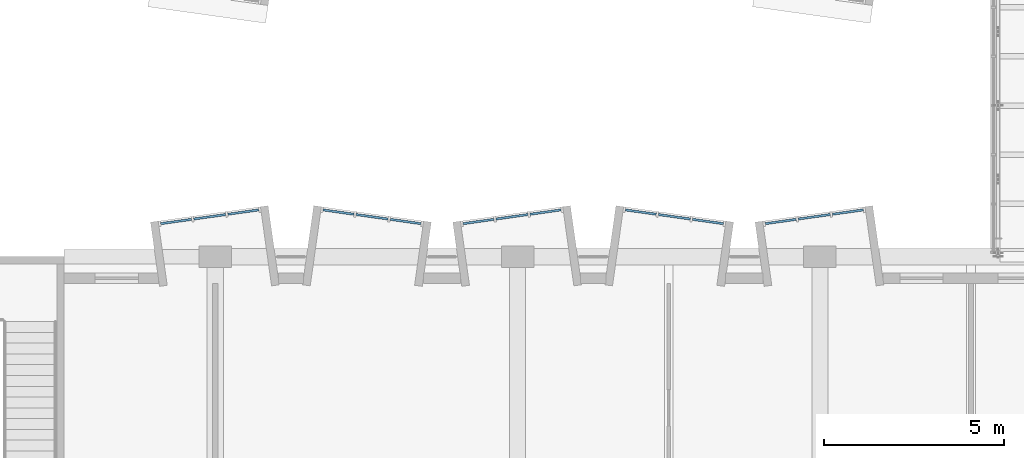
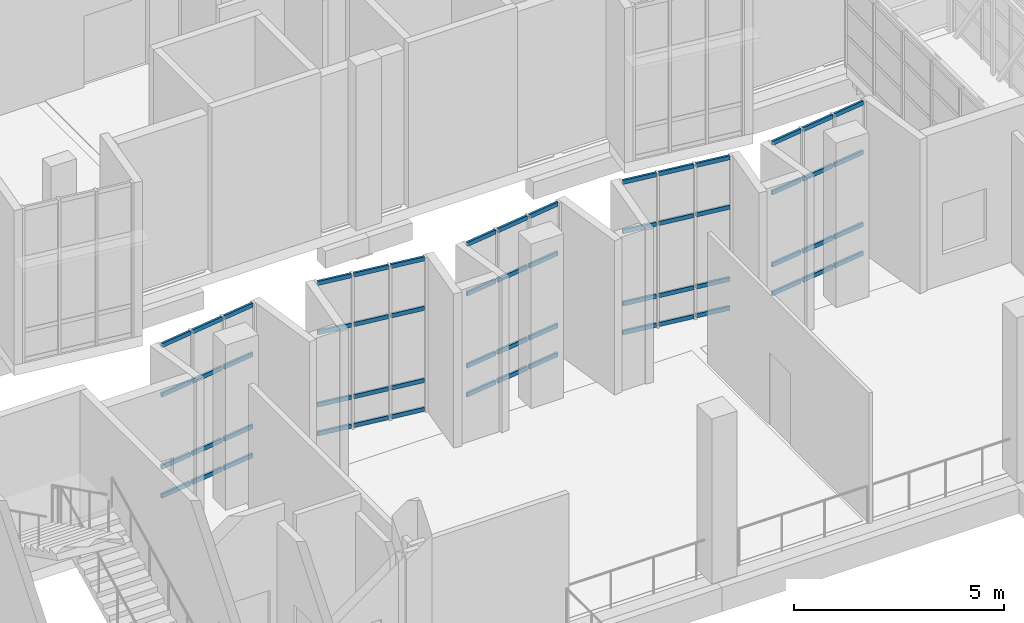
# One storey, part 28 of 67: 60 members, 5 elements without a shape of their own.
"""IFC4 building model written with IfcOpenShell, lengths in metres."""

from ifc_helpers import new_model, si_unit, direction, frame, origin, origin_2d, place, context, subcontext, project, spatial, rectangle, extrude, material, layer, layer_set, material_profile, profile_set, type_object, element, aggregate, save


model = new_model("IFC4")

# Units and contexts
model_context = context("Model", 3, precision=1e-05, world=origin(), true_north=direction((0.0, 1.0)))
body_context = subcontext(model_context, "Body", "Model", "MODEL_VIEW")
ifc_project = project(units=[si_unit("LENGTHUNIT", "METRE"), si_unit("AREAUNIT", "SQUARE_METRE"), si_unit("VOLUMEUNIT", "CUBIC_METRE"), si_unit("PLANEANGLEUNIT", "RADIAN"), si_unit("MASSUNIT", "GRAM", prefix="KILO")], contexts=[model_context])

# Site, building, storey
site_placement = place(None, origin())
site = spatial("IfcSite", under=ifc_project, at=site_placement, CompositionType="ELEMENT")
building_placement = place(site_placement, origin())
building = spatial("IfcBuilding", under=site, at=building_placement, Name="Kiln Court Media Centre", CompositionType="ELEMENT")
storey_placement = place(building_placement, frame((0.0, 0.0, 19.800048828125)))
storey = spatial("IfcBuildingStorey", under=building, at=storey_placement, Name="L04", CompositionType="ELEMENT", Elevation=19.800048828125)

# Curtain wall, members
ifc_material_1 = material(Name="Aluminium 6063-T6", Category="aluminium")
ifc_layer = layer(ifc_material_1, 0.1201171875)
ifc_layer_set = layer_set([ifc_layer], Name="Aluminium unitised bay curtain wall")
curtain_wall_type = type_object("IfcCurtainWallType", Name="Aluminium unitised bay curtain wall", PredefinedType="USERDEFINED", material=ifc_layer_set)
curtain_wall_1_placement = place(storey_placement, origin())
curtain_wall_1 = element("IfcCurtainWall", 1, at=curtain_wall_1_placement, inside=storey, type_object=curtain_wall_type, Name="BAY V6A-N-L04-24 front", ObjectType="UNITISED CURTAIN WALL", PredefinedType="USERDEFINED")
ifc_material_2 = material(Name="Aluminium 6063-T6", Category="aluminium")
ifc_material_profile = material_profile(ifc_material_2, rectangle(XDim=0.06005859375, YDim=0.1201171875, at=origin_2d()), Name="Aluminium transom 60x120")
ifc_profile_set = profile_set([ifc_material_profile], Name="Aluminium 6063-T6")
member_type = type_object("IfcMemberType", Name="Aluminium transom 60x120", PredefinedType="USERDEFINED", material=ifc_profile_set)
member_1_placement = place(storey_placement, frame((6.882568359375, 26.11767578125, 0.06005859375), z_axis=(0.990268108888, 0.139172815303, 0.0), x_axis=(-0.139172815303, 0.990268108888, 0.0)))
member_1 = element("IfcMember", 2, at=member_1_placement, type_object=member_type, Name="CW4-03 transom 1.1", ObjectType="TRANSOM", PredefinedType="USERDEFINED", context=body_context, shape_type="SweptSolid", body=[
    extrude(rectangle(XDim=0.06005859375, YDim=0.1201171875, at=origin_2d()), origin(), (0.0, 0.0, 1.0), 0.86669921875),
])
member_2_placement = place(storey_placement, frame((6.882568359375, 26.11767578125, 0.89990234375), z_axis=(0.990268108888, 0.139172815303, 0.0), x_axis=(-0.139172815303, 0.990268108888, 0.0)))
member_2 = element("IfcMember", 3, at=member_2_placement, type_object=member_type, Name="CW4-03 transom 1.2", ObjectType="TRANSOM", PredefinedType="USERDEFINED", context=body_context, shape_type="SweptSolid", body=[
    extrude(rectangle(XDim=0.06005859375, YDim=0.1201171875, at=origin_2d()), origin(), (0.0, 0.0, 1.0), 0.86669921875),
])
member_3_placement = place(storey_placement, frame((6.882568359375, 26.11767578125, 3.0), z_axis=(0.990268108888, 0.139172815303, 0.0), x_axis=(-0.139172815303, 0.990268108888, 0.0)))
member_3 = element("IfcMember", 4, at=member_3_placement, type_object=member_type, Name="CW4-03 transom 1.3", ObjectType="TRANSOM", PredefinedType="USERDEFINED", context=body_context, shape_type="SweptSolid", body=[
    extrude(rectangle(XDim=0.06005859375, YDim=0.1201171875, at=origin_2d()), origin(), (0.0, 0.0, 1.0), 0.86669921875),
])
member_4_placement = place(storey_placement, frame((6.882568359375, 26.11767578125, 4.43994140625), z_axis=(0.990268108888, 0.139172815303, 0.0), x_axis=(-0.139172815303, 0.990268108888, 0.0)))
member_4 = element("IfcMember", 5, at=member_4_placement, type_object=member_type, Name="CW4-03 transom 1.4", ObjectType="TRANSOM", PredefinedType="USERDEFINED", context=body_context, shape_type="SweptSolid", body=[
    extrude(rectangle(XDim=0.06005859375, YDim=0.1201171875, at=origin_2d()), origin(), (0.0, 0.0, 1.0), 0.86669921875),
])
member_5_placement = place(storey_placement, frame((7.80029296875, 26.246826171875, 0.06005859375), z_axis=(0.990273584723, 0.13913384707, 0.0), x_axis=(-0.13913384707, 0.990273584723, 0.0)))
member_5 = element("IfcMember", 6, at=member_5_placement, type_object=member_type, Name="CW4-03 transom 2.1", ObjectType="TRANSOM", PredefinedType="USERDEFINED", context=body_context, shape_type="SweptSolid", body=[
    extrude(rectangle(XDim=0.06005859375, YDim=0.1201171875, at=origin_2d()), origin(), (0.0, 0.0, 1.0), 0.896728515625),
])
member_6_placement = place(storey_placement, frame((7.80029296875, 26.246826171875, 0.89990234375), z_axis=(0.990273584723, 0.13913384707, 0.0), x_axis=(-0.13913384707, 0.990273584723, 0.0)))
member_6 = element("IfcMember", 7, at=member_6_placement, type_object=member_type, Name="CW4-03 transom 2.2", ObjectType="TRANSOM", PredefinedType="USERDEFINED", context=body_context, shape_type="SweptSolid", body=[
    extrude(rectangle(XDim=0.06005859375, YDim=0.1201171875, at=origin_2d()), origin(), (0.0, 0.0, 1.0), 0.896728515625),
])
member_7_placement = place(storey_placement, frame((7.80029296875, 26.246826171875, 3.0), z_axis=(0.990273584723, 0.13913384707, 0.0), x_axis=(-0.13913384707, 0.990273584723, 0.0)))
member_7 = element("IfcMember", 8, at=member_7_placement, type_object=member_type, Name="CW4-03 transom 2.3", ObjectType="TRANSOM", PredefinedType="USERDEFINED", context=body_context, shape_type="SweptSolid", body=[
    extrude(rectangle(XDim=0.06005859375, YDim=0.1201171875, at=origin_2d()), origin(), (0.0, 0.0, 1.0), 0.896728515625),
])
member_8_placement = place(storey_placement, frame((7.80029296875, 26.246826171875, 4.43994140625), z_axis=(0.990273584723, 0.13913384707, 0.0), x_axis=(-0.13913384707, 0.990273584723, 0.0)))
member_8 = element("IfcMember", 9, at=member_8_placement, type_object=member_type, Name="CW4-03 transom 2.4", ObjectType="TRANSOM", PredefinedType="USERDEFINED", context=body_context, shape_type="SweptSolid", body=[
    extrude(rectangle(XDim=0.06005859375, YDim=0.1201171875, at=origin_2d()), origin(), (0.0, 0.0, 1.0), 0.896728515625),
])
member_9_placement = place(storey_placement, frame((8.74755859375, 26.3798828125, 0.06005859375), z_axis=(0.990268108888, 0.139172815303, 0.0), x_axis=(-0.139172815303, 0.990268108888, 0.0)))
member_9 = element("IfcMember", 10, at=member_9_placement, type_object=member_type, Name="CW4-03 transom 3.1", ObjectType="TRANSOM", PredefinedType="USERDEFINED", context=body_context, shape_type="SweptSolid", body=[
    extrude(rectangle(XDim=0.06005859375, YDim=0.1201171875, at=origin_2d()), origin(), (0.0, 0.0, 1.0), 0.86669921875),
])
member_10_placement = place(storey_placement, frame((8.74755859375, 26.3798828125, 0.89990234375), z_axis=(0.990268108888, 0.139172815303, 0.0), x_axis=(-0.139172815303, 0.990268108888, 0.0)))
member_10 = element("IfcMember", 11, at=member_10_placement, type_object=member_type, Name="CW4-03 transom 3.2", ObjectType="TRANSOM", PredefinedType="USERDEFINED", context=body_context, shape_type="SweptSolid", body=[
    extrude(rectangle(XDim=0.06005859375, YDim=0.1201171875, at=origin_2d()), origin(), (0.0, 0.0, 1.0), 0.86669921875),
])
member_11_placement = place(storey_placement, frame((8.74755859375, 26.3798828125, 3.0), z_axis=(0.990268108888, 0.139172815303, 0.0), x_axis=(-0.139172815303, 0.990268108888, 0.0)))
member_11 = element("IfcMember", 12, at=member_11_placement, type_object=member_type, Name="CW4-03 transom 3.3", ObjectType="TRANSOM", PredefinedType="USERDEFINED", context=body_context, shape_type="SweptSolid", body=[
    extrude(rectangle(XDim=0.06005859375, YDim=0.1201171875, at=origin_2d()), origin(), (0.0, 0.0, 1.0), 0.86669921875),
])
member_12_placement = place(storey_placement, frame((8.74755859375, 26.3798828125, 4.43994140625), z_axis=(0.990268108888, 0.139172815303, 0.0), x_axis=(-0.139172815303, 0.990268108888, 0.0)))
member_12 = element("IfcMember", 13, at=member_12_placement, type_object=member_type, Name="CW4-03 transom 3.4", ObjectType="TRANSOM", PredefinedType="USERDEFINED", context=body_context, shape_type="SweptSolid", body=[
    extrude(rectangle(XDim=0.06005859375, YDim=0.1201171875, at=origin_2d()), origin(), (0.0, 0.0, 1.0), 0.86669921875),
])
aggregate(curtain_wall_1, [member_1, member_2, member_3, member_4, member_5, member_6, member_7, member_8, member_9, member_10, member_11, member_12])

curtain_wall_2_placement = place(storey_placement, origin())
curtain_wall_2 = element("IfcCurtainWall", 14, at=curtain_wall_2_placement, inside=storey, type_object=curtain_wall_type, Name="BAY V6A-N-L04-25 front", ObjectType="UNITISED CURTAIN WALL", PredefinedType="USERDEFINED")
member_13_placement = place(storey_placement, frame((11.394287109375, 26.50048828125, 0.06005859375), z_axis=(0.990268108888, -0.139172815303, 0.0), x_axis=(0.139172815303, 0.990268108888, 0.0)))
member_13 = element("IfcMember", 15, at=member_13_placement, type_object=member_type, Name="CW4-04 transom 1.1", ObjectType="TRANSOM", PredefinedType="USERDEFINED", context=body_context, shape_type="SweptSolid", body=[
    extrude(rectangle(XDim=0.06005859375, YDim=0.1201171875, at=origin_2d()), origin(), (0.0, 0.0, 1.0), 0.86669921875),
])
member_14_placement = place(storey_placement, frame((11.394287109375, 26.50048828125, 0.89990234375), z_axis=(0.990268108888, -0.139172815303, 0.0), x_axis=(0.139172815303, 0.990268108888, 0.0)))
member_14 = element("IfcMember", 16, at=member_14_placement, type_object=member_type, Name="CW4-04 transom 1.2", ObjectType="TRANSOM", PredefinedType="USERDEFINED", context=body_context, shape_type="SweptSolid", body=[
    extrude(rectangle(XDim=0.06005859375, YDim=0.1201171875, at=origin_2d()), origin(), (0.0, 0.0, 1.0), 0.86669921875),
])
member_15_placement = place(storey_placement, frame((11.394287109375, 26.50048828125, 3.0), z_axis=(0.990268108888, -0.139172815303, 0.0), x_axis=(0.139172815303, 0.990268108888, 0.0)))
member_15 = element("IfcMember", 17, at=member_15_placement, type_object=member_type, Name="CW4-04 transom 1.3", ObjectType="TRANSOM", PredefinedType="USERDEFINED", context=body_context, shape_type="SweptSolid", body=[
    extrude(rectangle(XDim=0.06005859375, YDim=0.1201171875, at=origin_2d()), origin(), (0.0, 0.0, 1.0), 0.86669921875),
])
member_16_placement = place(storey_placement, frame((11.394287109375, 26.50048828125, 4.43994140625), z_axis=(0.990268108888, -0.139172815303, 0.0), x_axis=(0.139172815303, 0.990268108888, 0.0)))
member_16 = element("IfcMember", 18, at=member_16_placement, type_object=member_type, Name="CW4-04 transom 1.4", ObjectType="TRANSOM", PredefinedType="USERDEFINED", context=body_context, shape_type="SweptSolid", body=[
    extrude(rectangle(XDim=0.06005859375, YDim=0.1201171875, at=origin_2d()), origin(), (0.0, 0.0, 1.0), 0.86669921875),
])
member_17_placement = place(storey_placement, frame((12.311767578125, 26.37158203125, 0.06005859375), z_axis=(0.990273584723, -0.13913384707, 0.0), x_axis=(0.13913384707, 0.990273584723, 0.0)))
member_17 = element("IfcMember", 19, at=member_17_placement, type_object=member_type, Name="CW4-04 transom 2.1", ObjectType="TRANSOM", PredefinedType="USERDEFINED", context=body_context, shape_type="SweptSolid", body=[
    extrude(rectangle(XDim=0.06005859375, YDim=0.1201171875, at=origin_2d()), origin(), (0.0, 0.0, 1.0), 0.896728515625),
])
member_18_placement = place(storey_placement, frame((12.311767578125, 26.37158203125, 0.89990234375), z_axis=(0.990273584723, -0.13913384707, 0.0), x_axis=(0.13913384707, 0.990273584723, 0.0)))
member_18 = element("IfcMember", 20, at=member_18_placement, type_object=member_type, Name="CW4-04 transom 2.2", ObjectType="TRANSOM", PredefinedType="USERDEFINED", context=body_context, shape_type="SweptSolid", body=[
    extrude(rectangle(XDim=0.06005859375, YDim=0.1201171875, at=origin_2d()), origin(), (0.0, 0.0, 1.0), 0.896728515625),
])
member_19_placement = place(storey_placement, frame((12.311767578125, 26.37158203125, 3.0), z_axis=(0.990273584723, -0.13913384707, 0.0), x_axis=(0.13913384707, 0.990273584723, 0.0)))
member_19 = element("IfcMember", 21, at=member_19_placement, type_object=member_type, Name="CW4-04 transom 2.3", ObjectType="TRANSOM", PredefinedType="USERDEFINED", context=body_context, shape_type="SweptSolid", body=[
    extrude(rectangle(XDim=0.06005859375, YDim=0.1201171875, at=origin_2d()), origin(), (0.0, 0.0, 1.0), 0.896728515625),
])
member_20_placement = place(storey_placement, frame((12.311767578125, 26.37158203125, 4.43994140625), z_axis=(0.990273584723, -0.13913384707, 0.0), x_axis=(0.13913384707, 0.990273584723, 0.0)))
member_20 = element("IfcMember", 22, at=member_20_placement, type_object=member_type, Name="CW4-04 transom 2.4", ObjectType="TRANSOM", PredefinedType="USERDEFINED", context=body_context, shape_type="SweptSolid", body=[
    extrude(rectangle(XDim=0.06005859375, YDim=0.1201171875, at=origin_2d()), origin(), (0.0, 0.0, 1.0), 0.896728515625),
])
member_21_placement = place(storey_placement, frame((13.25927734375, 26.23828125, 0.06005859375), z_axis=(0.990268108888, -0.139172815303, 0.0), x_axis=(0.139172815303, 0.990268108888, 0.0)))
member_21 = element("IfcMember", 23, at=member_21_placement, type_object=member_type, Name="CW4-04 transom 3.1", ObjectType="TRANSOM", PredefinedType="USERDEFINED", context=body_context, shape_type="SweptSolid", body=[
    extrude(rectangle(XDim=0.06005859375, YDim=0.1201171875, at=origin_2d()), origin(), (0.0, 0.0, 1.0), 0.86669921875),
])
member_22_placement = place(storey_placement, frame((13.25927734375, 26.23828125, 0.89990234375), z_axis=(0.990268108888, -0.139172815303, 0.0), x_axis=(0.139172815303, 0.990268108888, 0.0)))
member_22 = element("IfcMember", 24, at=member_22_placement, type_object=member_type, Name="CW4-04 transom 3.2", ObjectType="TRANSOM", PredefinedType="USERDEFINED", context=body_context, shape_type="SweptSolid", body=[
    extrude(rectangle(XDim=0.06005859375, YDim=0.1201171875, at=origin_2d()), origin(), (0.0, 0.0, 1.0), 0.86669921875),
])
member_23_placement = place(storey_placement, frame((13.25927734375, 26.23828125, 3.0), z_axis=(0.990268108888, -0.139172815303, 0.0), x_axis=(0.139172815303, 0.990268108888, 0.0)))
member_23 = element("IfcMember", 25, at=member_23_placement, type_object=member_type, Name="CW4-04 transom 3.3", ObjectType="TRANSOM", PredefinedType="USERDEFINED", context=body_context, shape_type="SweptSolid", body=[
    extrude(rectangle(XDim=0.06005859375, YDim=0.1201171875, at=origin_2d()), origin(), (0.0, 0.0, 1.0), 0.86669921875),
])
member_24_placement = place(storey_placement, frame((13.25927734375, 26.23828125, 4.43994140625), z_axis=(0.990268108888, -0.139172815303, 0.0), x_axis=(0.139172815303, 0.990268108888, 0.0)))
member_24 = element("IfcMember", 26, at=member_24_placement, type_object=member_type, Name="CW4-04 transom 3.4", ObjectType="TRANSOM", PredefinedType="USERDEFINED", context=body_context, shape_type="SweptSolid", body=[
    extrude(rectangle(XDim=0.06005859375, YDim=0.1201171875, at=origin_2d()), origin(), (0.0, 0.0, 1.0), 0.86669921875),
])
aggregate(curtain_wall_2, [member_13, member_14, member_15, member_16, member_17, member_18, member_19, member_20, member_21, member_22, member_23, member_24])

curtain_wall_3_placement = place(storey_placement, origin())
curtain_wall_3 = element("IfcCurtainWall", 27, at=curtain_wall_3_placement, inside=storey, type_object=curtain_wall_type, Name="BAY V6A-N-L04-26 front", ObjectType="UNITISED CURTAIN WALL", PredefinedType="USERDEFINED")
member_25_placement = place(storey_placement, frame((15.282470703125, 26.11767578125, 0.06005859375), z_axis=(0.990273563383, 0.139133998951, 0.0), x_axis=(-0.139133998951, 0.990273563383, 0.0)))
member_25 = element("IfcMember", 28, at=member_25_placement, type_object=member_type, Name="CW4-05 transom 1.1", ObjectType="TRANSOM", PredefinedType="USERDEFINED", context=body_context, shape_type="SweptSolid", body=[
    extrude(rectangle(XDim=0.06005859375, YDim=0.1201171875, at=origin_2d()), origin(), (0.0, 0.0, 1.0), 0.866943359375),
])
member_26_placement = place(storey_placement, frame((15.282470703125, 26.11767578125, 0.89990234375), z_axis=(0.990273563383, 0.139133998951, 0.0), x_axis=(-0.139133998951, 0.990273563383, 0.0)))
member_26 = element("IfcMember", 29, at=member_26_placement, type_object=member_type, Name="CW4-05 transom 1.2", ObjectType="TRANSOM", PredefinedType="USERDEFINED", context=body_context, shape_type="SweptSolid", body=[
    extrude(rectangle(XDim=0.06005859375, YDim=0.1201171875, at=origin_2d()), origin(), (0.0, 0.0, 1.0), 0.866943359375),
])
member_27_placement = place(storey_placement, frame((15.282470703125, 26.11767578125, 3.0), z_axis=(0.990273563383, 0.139133998951, 0.0), x_axis=(-0.139133998951, 0.990273563383, 0.0)))
member_27 = element("IfcMember", 30, at=member_27_placement, type_object=member_type, Name="CW4-05 transom 1.3", ObjectType="TRANSOM", PredefinedType="USERDEFINED", context=body_context, shape_type="SweptSolid", body=[
    extrude(rectangle(XDim=0.06005859375, YDim=0.1201171875, at=origin_2d()), origin(), (0.0, 0.0, 1.0), 0.866943359375),
])
member_28_placement = place(storey_placement, frame((15.282470703125, 26.11767578125, 4.43994140625), z_axis=(0.990273563383, 0.139133998951, 0.0), x_axis=(-0.139133998951, 0.990273563383, 0.0)))
member_28 = element("IfcMember", 31, at=member_28_placement, type_object=member_type, Name="CW4-05 transom 1.4", ObjectType="TRANSOM", PredefinedType="USERDEFINED", context=body_context, shape_type="SweptSolid", body=[
    extrude(rectangle(XDim=0.06005859375, YDim=0.1201171875, at=origin_2d()), origin(), (0.0, 0.0, 1.0), 0.866943359375),
])
member_29_placement = place(storey_placement, frame((16.2001953125, 26.246826171875, 0.06005859375), z_axis=(0.990273584723, 0.13913384707, 0.0), x_axis=(-0.13913384707, 0.990273584723, 0.0)))
member_29 = element("IfcMember", 32, at=member_29_placement, type_object=member_type, Name="CW4-05 transom 2.1", ObjectType="TRANSOM", PredefinedType="USERDEFINED", context=body_context, shape_type="SweptSolid", body=[
    extrude(rectangle(XDim=0.06005859375, YDim=0.1201171875, at=origin_2d()), origin(), (0.0, 0.0, 1.0), 0.896728515625),
])
member_30_placement = place(storey_placement, frame((16.2001953125, 26.246826171875, 0.89990234375), z_axis=(0.990273584723, 0.13913384707, 0.0), x_axis=(-0.13913384707, 0.990273584723, 0.0)))
member_30 = element("IfcMember", 33, at=member_30_placement, type_object=member_type, Name="CW4-05 transom 2.2", ObjectType="TRANSOM", PredefinedType="USERDEFINED", context=body_context, shape_type="SweptSolid", body=[
    extrude(rectangle(XDim=0.06005859375, YDim=0.1201171875, at=origin_2d()), origin(), (0.0, 0.0, 1.0), 0.896728515625),
])
member_31_placement = place(storey_placement, frame((16.2001953125, 26.246826171875, 3.0), z_axis=(0.990273584723, 0.13913384707, 0.0), x_axis=(-0.13913384707, 0.990273584723, 0.0)))
member_31 = element("IfcMember", 34, at=member_31_placement, type_object=member_type, Name="CW4-05 transom 2.3", ObjectType="TRANSOM", PredefinedType="USERDEFINED", context=body_context, shape_type="SweptSolid", body=[
    extrude(rectangle(XDim=0.06005859375, YDim=0.1201171875, at=origin_2d()), origin(), (0.0, 0.0, 1.0), 0.896728515625),
])
member_32_placement = place(storey_placement, frame((16.2001953125, 26.246826171875, 4.43994140625), z_axis=(0.990273584723, 0.13913384707, 0.0), x_axis=(-0.13913384707, 0.990273584723, 0.0)))
member_32 = element("IfcMember", 35, at=member_32_placement, type_object=member_type, Name="CW4-05 transom 2.4", ObjectType="TRANSOM", PredefinedType="USERDEFINED", context=body_context, shape_type="SweptSolid", body=[
    extrude(rectangle(XDim=0.06005859375, YDim=0.1201171875, at=origin_2d()), origin(), (0.0, 0.0, 1.0), 0.896728515625),
])
member_33_placement = place(storey_placement, frame((17.1474609375, 26.3798828125, 0.06005859375), z_axis=(0.990273563383, 0.139133998951, 0.0), x_axis=(-0.139133998951, 0.990273563383, 0.0)))
member_33 = element("IfcMember", 36, at=member_33_placement, type_object=member_type, Name="CW4-05 transom 3.1", ObjectType="TRANSOM", PredefinedType="USERDEFINED", context=body_context, shape_type="SweptSolid", body=[
    extrude(rectangle(XDim=0.06005859375, YDim=0.1201171875, at=origin_2d()), origin(), (0.0, 0.0, 1.0), 0.866943359375),
])
member_34_placement = place(storey_placement, frame((17.1474609375, 26.3798828125, 0.89990234375), z_axis=(0.990273563383, 0.139133998951, 0.0), x_axis=(-0.139133998951, 0.990273563383, 0.0)))
member_34 = element("IfcMember", 37, at=member_34_placement, type_object=member_type, Name="CW4-05 transom 3.2", ObjectType="TRANSOM", PredefinedType="USERDEFINED", context=body_context, shape_type="SweptSolid", body=[
    extrude(rectangle(XDim=0.06005859375, YDim=0.1201171875, at=origin_2d()), origin(), (0.0, 0.0, 1.0), 0.866943359375),
])
member_35_placement = place(storey_placement, frame((17.1474609375, 26.3798828125, 3.0), z_axis=(0.990273563383, 0.139133998951, 0.0), x_axis=(-0.139133998951, 0.990273563383, 0.0)))
member_35 = element("IfcMember", 38, at=member_35_placement, type_object=member_type, Name="CW4-05 transom 3.3", ObjectType="TRANSOM", PredefinedType="USERDEFINED", context=body_context, shape_type="SweptSolid", body=[
    extrude(rectangle(XDim=0.06005859375, YDim=0.1201171875, at=origin_2d()), origin(), (0.0, 0.0, 1.0), 0.866943359375),
])
member_36_placement = place(storey_placement, frame((17.1474609375, 26.3798828125, 4.43994140625), z_axis=(0.990273563383, 0.139133998951, 0.0), x_axis=(-0.139133998951, 0.990273563383, 0.0)))
member_36 = element("IfcMember", 39, at=member_36_placement, type_object=member_type, Name="CW4-05 transom 3.4", ObjectType="TRANSOM", PredefinedType="USERDEFINED", context=body_context, shape_type="SweptSolid", body=[
    extrude(rectangle(XDim=0.06005859375, YDim=0.1201171875, at=origin_2d()), origin(), (0.0, 0.0, 1.0), 0.866943359375),
])
aggregate(curtain_wall_3, [member_25, member_26, member_27, member_28, member_29, member_30, member_31, member_32, member_33, member_34, member_35, member_36])

curtain_wall_4_placement = place(storey_placement, origin())
curtain_wall_4 = element("IfcCurtainWall", 40, at=curtain_wall_4_placement, inside=storey, type_object=curtain_wall_type, Name="BAY V6A-N-L04-27 front", ObjectType="UNITISED CURTAIN WALL", PredefinedType="USERDEFINED")
member_37_placement = place(storey_placement, frame((19.794189453125, 26.50048828125, 0.06005859375), z_axis=(0.990268108888, -0.139172815303, 0.0), x_axis=(0.139172815303, 0.990268108888, 0.0)))
member_37 = element("IfcMember", 41, at=member_37_placement, type_object=member_type, Name="CW4-06 transom 1.1", ObjectType="TRANSOM", PredefinedType="USERDEFINED", context=body_context, shape_type="SweptSolid", body=[
    extrude(rectangle(XDim=0.06005859375, YDim=0.1201171875, at=origin_2d()), origin(), (0.0, 0.0, 1.0), 0.86669921875),
])
member_38_placement = place(storey_placement, frame((19.794189453125, 26.50048828125, 0.89990234375), z_axis=(0.990268108888, -0.139172815303, 0.0), x_axis=(0.139172815303, 0.990268108888, 0.0)))
member_38 = element("IfcMember", 42, at=member_38_placement, type_object=member_type, Name="CW4-06 transom 1.2", ObjectType="TRANSOM", PredefinedType="USERDEFINED", context=body_context, shape_type="SweptSolid", body=[
    extrude(rectangle(XDim=0.06005859375, YDim=0.1201171875, at=origin_2d()), origin(), (0.0, 0.0, 1.0), 0.86669921875),
])
member_39_placement = place(storey_placement, frame((19.794189453125, 26.50048828125, 3.0), z_axis=(0.990268108888, -0.139172815303, 0.0), x_axis=(0.139172815303, 0.990268108888, 0.0)))
member_39 = element("IfcMember", 43, at=member_39_placement, type_object=member_type, Name="CW4-06 transom 1.3", ObjectType="TRANSOM", PredefinedType="USERDEFINED", context=body_context, shape_type="SweptSolid", body=[
    extrude(rectangle(XDim=0.06005859375, YDim=0.1201171875, at=origin_2d()), origin(), (0.0, 0.0, 1.0), 0.86669921875),
])
member_40_placement = place(storey_placement, frame((19.794189453125, 26.50048828125, 4.43994140625), z_axis=(0.990268108888, -0.139172815303, 0.0), x_axis=(0.139172815303, 0.990268108888, 0.0)))
member_40 = element("IfcMember", 44, at=member_40_placement, type_object=member_type, Name="CW4-06 transom 1.4", ObjectType="TRANSOM", PredefinedType="USERDEFINED", context=body_context, shape_type="SweptSolid", body=[
    extrude(rectangle(XDim=0.06005859375, YDim=0.1201171875, at=origin_2d()), origin(), (0.0, 0.0, 1.0), 0.86669921875),
])
member_41_placement = place(storey_placement, frame((20.7119140625, 26.37158203125, 0.06005859375), z_axis=(0.990273584723, -0.13913384707, 0.0), x_axis=(0.13913384707, 0.990273584723, 0.0)))
member_41 = element("IfcMember", 45, at=member_41_placement, type_object=member_type, Name="CW4-06 transom 2.1", ObjectType="TRANSOM", PredefinedType="USERDEFINED", context=body_context, shape_type="SweptSolid", body=[
    extrude(rectangle(XDim=0.06005859375, YDim=0.1201171875, at=origin_2d()), origin(), (0.0, 0.0, 1.0), 0.896728515625),
])
member_42_placement = place(storey_placement, frame((20.7119140625, 26.37158203125, 0.89990234375), z_axis=(0.990273584723, -0.13913384707, 0.0), x_axis=(0.13913384707, 0.990273584723, 0.0)))
member_42 = element("IfcMember", 46, at=member_42_placement, type_object=member_type, Name="CW4-06 transom 2.2", ObjectType="TRANSOM", PredefinedType="USERDEFINED", context=body_context, shape_type="SweptSolid", body=[
    extrude(rectangle(XDim=0.06005859375, YDim=0.1201171875, at=origin_2d()), origin(), (0.0, 0.0, 1.0), 0.896728515625),
])
member_43_placement = place(storey_placement, frame((20.7119140625, 26.37158203125, 3.0), z_axis=(0.990273584723, -0.13913384707, 0.0), x_axis=(0.13913384707, 0.990273584723, 0.0)))
member_43 = element("IfcMember", 47, at=member_43_placement, type_object=member_type, Name="CW4-06 transom 2.3", ObjectType="TRANSOM", PredefinedType="USERDEFINED", context=body_context, shape_type="SweptSolid", body=[
    extrude(rectangle(XDim=0.06005859375, YDim=0.1201171875, at=origin_2d()), origin(), (0.0, 0.0, 1.0), 0.896728515625),
])
member_44_placement = place(storey_placement, frame((20.7119140625, 26.37158203125, 4.43994140625), z_axis=(0.990273584723, -0.13913384707, 0.0), x_axis=(0.13913384707, 0.990273584723, 0.0)))
member_44 = element("IfcMember", 48, at=member_44_placement, type_object=member_type, Name="CW4-06 transom 2.4", ObjectType="TRANSOM", PredefinedType="USERDEFINED", context=body_context, shape_type="SweptSolid", body=[
    extrude(rectangle(XDim=0.06005859375, YDim=0.1201171875, at=origin_2d()), origin(), (0.0, 0.0, 1.0), 0.896728515625),
])
member_45_placement = place(storey_placement, frame((21.6591796875, 26.23828125, 0.06005859375), z_axis=(0.990273563383, -0.139133998951, 0.0), x_axis=(0.139133998951, 0.990273563383, 0.0)))
member_45 = element("IfcMember", 49, at=member_45_placement, type_object=member_type, Name="CW4-06 transom 3.1", ObjectType="TRANSOM", PredefinedType="USERDEFINED", context=body_context, shape_type="SweptSolid", body=[
    extrude(rectangle(XDim=0.06005859375, YDim=0.1201171875, at=origin_2d()), origin(), (0.0, 0.0, 1.0), 0.866943359375),
])
member_46_placement = place(storey_placement, frame((21.6591796875, 26.23828125, 0.89990234375), z_axis=(0.990273563383, -0.139133998951, 0.0), x_axis=(0.139133998951, 0.990273563383, 0.0)))
member_46 = element("IfcMember", 50, at=member_46_placement, type_object=member_type, Name="CW4-06 transom 3.2", ObjectType="TRANSOM", PredefinedType="USERDEFINED", context=body_context, shape_type="SweptSolid", body=[
    extrude(rectangle(XDim=0.06005859375, YDim=0.1201171875, at=origin_2d()), origin(), (0.0, 0.0, 1.0), 0.866943359375),
])
member_47_placement = place(storey_placement, frame((21.6591796875, 26.23828125, 3.0), z_axis=(0.990273563383, -0.139133998951, 0.0), x_axis=(0.139133998951, 0.990273563383, 0.0)))
member_47 = element("IfcMember", 51, at=member_47_placement, type_object=member_type, Name="CW4-06 transom 3.3", ObjectType="TRANSOM", PredefinedType="USERDEFINED", context=body_context, shape_type="SweptSolid", body=[
    extrude(rectangle(XDim=0.06005859375, YDim=0.1201171875, at=origin_2d()), origin(), (0.0, 0.0, 1.0), 0.866943359375),
])
member_48_placement = place(storey_placement, frame((21.6591796875, 26.23828125, 4.43994140625), z_axis=(0.990273563383, -0.139133998951, 0.0), x_axis=(0.139133998951, 0.990273563383, 0.0)))
member_48 = element("IfcMember", 52, at=member_48_placement, type_object=member_type, Name="CW4-06 transom 3.4", ObjectType="TRANSOM", PredefinedType="USERDEFINED", context=body_context, shape_type="SweptSolid", body=[
    extrude(rectangle(XDim=0.06005859375, YDim=0.1201171875, at=origin_2d()), origin(), (0.0, 0.0, 1.0), 0.866943359375),
])
aggregate(curtain_wall_4, [member_37, member_38, member_39, member_40, member_41, member_42, member_43, member_44, member_45, member_46, member_47, member_48])

curtain_wall_5_placement = place(storey_placement, origin())
curtain_wall_5 = element("IfcCurtainWall", 53, at=curtain_wall_5_placement, inside=storey, type_object=curtain_wall_type, Name="BAY V6A-N-L04-28 front", ObjectType="UNITISED CURTAIN WALL", PredefinedType="USERDEFINED")
member_49_placement = place(storey_placement, frame((23.6826171875, 26.11767578125, 0.06005859375), z_axis=(0.990268108888, 0.139172815303, 0.0), x_axis=(-0.139172815303, 0.990268108888, 0.0)))
member_49 = element("IfcMember", 54, at=member_49_placement, type_object=member_type, Name="CW4-07 transom 1.1", ObjectType="TRANSOM", PredefinedType="USERDEFINED", context=body_context, shape_type="SweptSolid", body=[
    extrude(rectangle(XDim=0.06005859375, YDim=0.1201171875, at=origin_2d()), origin(), (0.0, 0.0, 1.0), 0.86669921875),
])
member_50_placement = place(storey_placement, frame((23.6826171875, 26.11767578125, 0.89990234375), z_axis=(0.990268108888, 0.139172815303, 0.0), x_axis=(-0.139172815303, 0.990268108888, 0.0)))
member_50 = element("IfcMember", 55, at=member_50_placement, type_object=member_type, Name="CW4-07 transom 1.2", ObjectType="TRANSOM", PredefinedType="USERDEFINED", context=body_context, shape_type="SweptSolid", body=[
    extrude(rectangle(XDim=0.06005859375, YDim=0.1201171875, at=origin_2d()), origin(), (0.0, 0.0, 1.0), 0.86669921875),
])
member_51_placement = place(storey_placement, frame((23.6826171875, 26.11767578125, 3.0), z_axis=(0.990268108888, 0.139172815303, 0.0), x_axis=(-0.139172815303, 0.990268108888, 0.0)))
member_51 = element("IfcMember", 56, at=member_51_placement, type_object=member_type, Name="CW4-07 transom 1.3", ObjectType="TRANSOM", PredefinedType="USERDEFINED", context=body_context, shape_type="SweptSolid", body=[
    extrude(rectangle(XDim=0.06005859375, YDim=0.1201171875, at=origin_2d()), origin(), (0.0, 0.0, 1.0), 0.86669921875),
])
member_52_placement = place(storey_placement, frame((23.6826171875, 26.11767578125, 4.43994140625), z_axis=(0.990268108888, 0.139172815303, 0.0), x_axis=(-0.139172815303, 0.990268108888, 0.0)))
member_52 = element("IfcMember", 57, at=member_52_placement, type_object=member_type, Name="CW4-07 transom 1.4", ObjectType="TRANSOM", PredefinedType="USERDEFINED", context=body_context, shape_type="SweptSolid", body=[
    extrude(rectangle(XDim=0.06005859375, YDim=0.1201171875, at=origin_2d()), origin(), (0.0, 0.0, 1.0), 0.86669921875),
])
member_53_placement = place(storey_placement, frame((24.60009765625, 26.246826171875, 0.06005859375), z_axis=(0.990273584723, 0.13913384707, 0.0), x_axis=(-0.13913384707, 0.990273584723, 0.0)))
member_53 = element("IfcMember", 58, at=member_53_placement, type_object=member_type, Name="CW4-07 transom 2.1", ObjectType="TRANSOM", PredefinedType="USERDEFINED", context=body_context, shape_type="SweptSolid", body=[
    extrude(rectangle(XDim=0.06005859375, YDim=0.1201171875, at=origin_2d()), origin(), (0.0, 0.0, 1.0), 0.896728515625),
])
member_54_placement = place(storey_placement, frame((24.60009765625, 26.246826171875, 0.89990234375), z_axis=(0.990273584723, 0.13913384707, 0.0), x_axis=(-0.13913384707, 0.990273584723, 0.0)))
member_54 = element("IfcMember", 59, at=member_54_placement, type_object=member_type, Name="CW4-07 transom 2.2", ObjectType="TRANSOM", PredefinedType="USERDEFINED", context=body_context, shape_type="SweptSolid", body=[
    extrude(rectangle(XDim=0.06005859375, YDim=0.1201171875, at=origin_2d()), origin(), (0.0, 0.0, 1.0), 0.896728515625),
])
member_55_placement = place(storey_placement, frame((24.60009765625, 26.246826171875, 3.0), z_axis=(0.990273584723, 0.13913384707, 0.0), x_axis=(-0.13913384707, 0.990273584723, 0.0)))
member_55 = element("IfcMember", 60, at=member_55_placement, type_object=member_type, Name="CW4-07 transom 2.3", ObjectType="TRANSOM", PredefinedType="USERDEFINED", context=body_context, shape_type="SweptSolid", body=[
    extrude(rectangle(XDim=0.06005859375, YDim=0.1201171875, at=origin_2d()), origin(), (0.0, 0.0, 1.0), 0.896728515625),
])
member_56_placement = place(storey_placement, frame((24.60009765625, 26.246826171875, 4.43994140625), z_axis=(0.990273584723, 0.13913384707, 0.0), x_axis=(-0.13913384707, 0.990273584723, 0.0)))
member_56 = element("IfcMember", 61, at=member_56_placement, type_object=member_type, Name="CW4-07 transom 2.4", ObjectType="TRANSOM", PredefinedType="USERDEFINED", context=body_context, shape_type="SweptSolid", body=[
    extrude(rectangle(XDim=0.06005859375, YDim=0.1201171875, at=origin_2d()), origin(), (0.0, 0.0, 1.0), 0.896728515625),
])
member_57_placement = place(storey_placement, frame((25.547607421875, 26.3798828125, 0.06005859375), z_axis=(0.990268108888, 0.139172815303, 0.0), x_axis=(-0.139172815303, 0.990268108888, 0.0)))
member_57 = element("IfcMember", 62, at=member_57_placement, type_object=member_type, Name="CW4-07 transom 3.1", ObjectType="TRANSOM", PredefinedType="USERDEFINED", context=body_context, shape_type="SweptSolid", body=[
    extrude(rectangle(XDim=0.06005859375, YDim=0.1201171875, at=origin_2d()), origin(), (0.0, 0.0, 1.0), 0.86669921875),
])
member_58_placement = place(storey_placement, frame((25.547607421875, 26.3798828125, 0.89990234375), z_axis=(0.990268108888, 0.139172815303, 0.0), x_axis=(-0.139172815303, 0.990268108888, 0.0)))
member_58 = element("IfcMember", 63, at=member_58_placement, type_object=member_type, Name="CW4-07 transom 3.2", ObjectType="TRANSOM", PredefinedType="USERDEFINED", context=body_context, shape_type="SweptSolid", body=[
    extrude(rectangle(XDim=0.06005859375, YDim=0.1201171875, at=origin_2d()), origin(), (0.0, 0.0, 1.0), 0.86669921875),
])
member_59_placement = place(storey_placement, frame((25.547607421875, 26.3798828125, 3.0), z_axis=(0.990268108888, 0.139172815303, 0.0), x_axis=(-0.139172815303, 0.990268108888, 0.0)))
member_59 = element("IfcMember", 64, at=member_59_placement, type_object=member_type, Name="CW4-07 transom 3.3", ObjectType="TRANSOM", PredefinedType="USERDEFINED", context=body_context, shape_type="SweptSolid", body=[
    extrude(rectangle(XDim=0.06005859375, YDim=0.1201171875, at=origin_2d()), origin(), (0.0, 0.0, 1.0), 0.86669921875),
])
member_60_placement = place(storey_placement, frame((25.547607421875, 26.3798828125, 4.43994140625), z_axis=(0.990268108888, 0.139172815303, 0.0), x_axis=(-0.139172815303, 0.990268108888, 0.0)))
member_60 = element("IfcMember", 65, at=member_60_placement, type_object=member_type, Name="CW4-07 transom 3.4", ObjectType="TRANSOM", PredefinedType="USERDEFINED", context=body_context, shape_type="SweptSolid", body=[
    extrude(rectangle(XDim=0.06005859375, YDim=0.1201171875, at=origin_2d()), origin(), (0.0, 0.0, 1.0), 0.86669921875),
])
aggregate(curtain_wall_5, [member_49, member_50, member_51, member_52, member_53, member_54, member_55, member_56, member_57, member_58, member_59, member_60])

save(model, "model.ifc")
